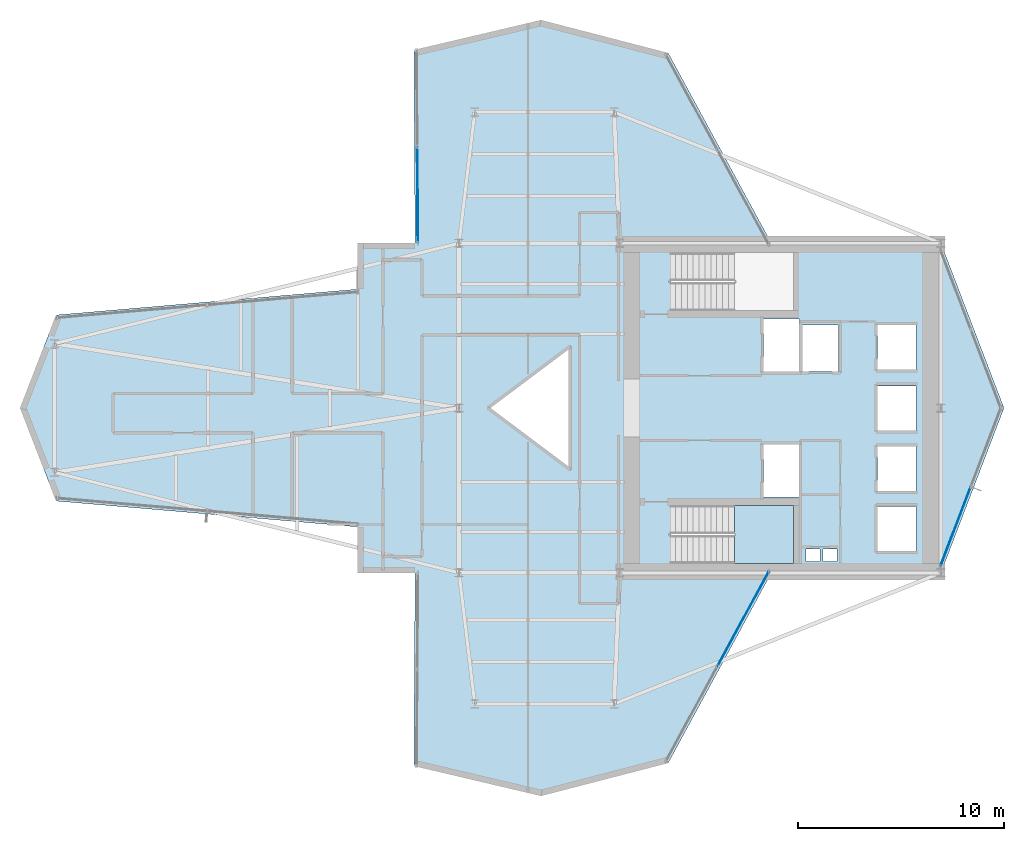
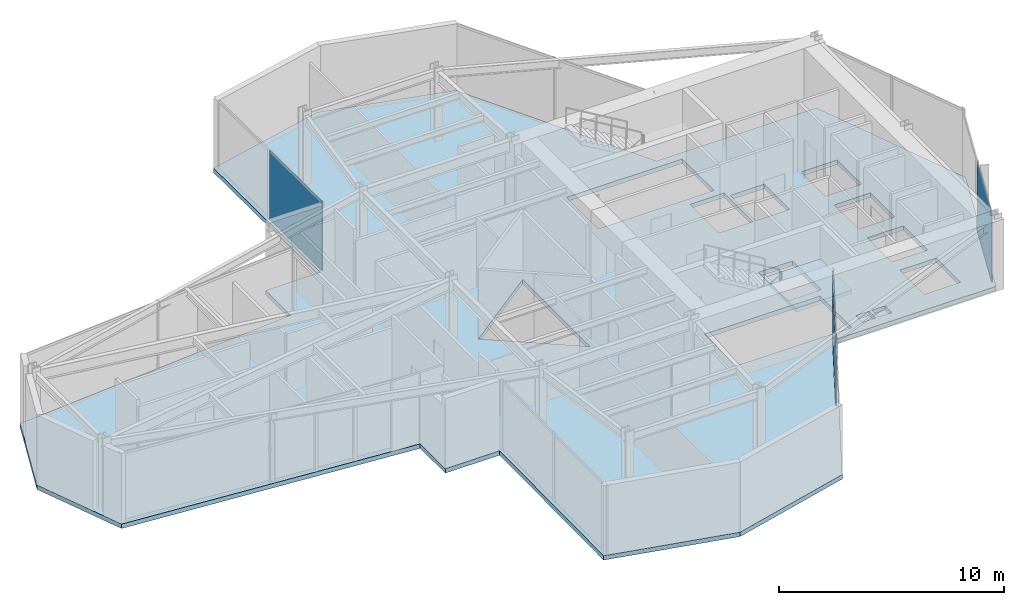
# One storey, part 21 of 26: 3 plates, 2 slabs, 4 elements without a shape of their own.
"""IFC4 building model written with IfcOpenShell, lengths in metres."""

from ifc_helpers import new_model, si_unit, direction, frame, origin, origin_2d, place, context, subcontext, project, spatial, polyline, rectangle, outline, extrude, material, layer, layer_set, type_object, element, aggregate, save


model = new_model("IFC4")

# Units and contexts
model_context = context("Model", 3, precision=1e-05, world=origin(), true_north=direction((0.0, 1.0)))
body_context = subcontext(model_context, "Body", "Model", "MODEL_VIEW")
ifc_project = project(units=[si_unit("LENGTHUNIT", "METRE"), si_unit("AREAUNIT", "SQUARE_METRE"), si_unit("VOLUMEUNIT", "CUBIC_METRE"), si_unit("PLANEANGLEUNIT", "RADIAN"), si_unit("MASSUNIT", "GRAM", prefix="KILO")], contexts=[model_context])

# Site, building, storey
site_placement = place(None, origin())
site = spatial("IfcSite", under=ifc_project, at=site_placement, CompositionType="ELEMENT")
building_placement = place(site_placement, origin())
building = spatial("IfcBuilding", under=site, at=building_placement, Name="Veymaron Broadcast Tower", CompositionType="ELEMENT")
storey_placement = place(building_placement, frame((0.0, 0.0, 153.300048828125)))
storey = spatial("IfcBuildingStorey", under=building, at=storey_placement, Name="L35", CompositionType="ELEMENT", Elevation=153.300048828125)

# Curtain wall, plate
ifc_material_1 = material(Name="Anodised aluminium AA 6063-T6 and laminated low-E dark glass", Category="aluminium")
ifc_layer_1 = layer(ifc_material_1, 0.179931640625)
ifc_layer_set_1 = layer_set([ifc_layer_1], Name="Anodised aluminium AA 6063-T6 and laminated low-E dark glass")
curtain_wall_type = type_object("IfcCurtainWallType", Name="CW-SYS-03", PredefinedType="NOTDEFINED", material=ifc_layer_set_1)
curtain_wall_1_placement = place(storey_placement, origin())
curtain_wall_1 = element("IfcCurtainWall", 1, at=curtain_wall_1_placement, inside=storey, type_object=curtain_wall_type, Name="L35 dark-glass curtain wall CW-L35-E2-1", PredefinedType="NOTDEFINED")
ifc_material_2 = material(Name="Insulated dark-anodised aluminium spandrel panel 40 mm", Category="aluminium")
ifc_layer_2 = layer(ifc_material_2, 0.0400390625)
ifc_layer_set_2 = layer_set([ifc_layer_2], Name="Insulated dark-anodised aluminium spandrel panel 40 mm")
plate_type = type_object("IfcPlateType", Name="CW-PNL-03", PredefinedType="CURTAIN_PANEL", material=ifc_layer_set_2)
plate_1_placement = place(storey_placement, frame((55.305908203125, 18.239013671875, 0.0400390625), z_axis=(0.0, 0.0, 1.0), x_axis=(0.35701516766, 0.934098586906, 0.0)))
plate_1 = element("IfcPlate", 2, at=plate_1_placement, type_object=plate_type, Name="CW-L35-E2-1 unitised curtain panel 0", PredefinedType="CURTAIN_PANEL", context=body_context, shape_type="SweptSolid", body=[
    extrude(rectangle(XDim=4.08740234375, YDim=0.0400390625, at=origin_2d()), origin(), (0.0, 0.0, 1.0), 3.72998046875),
])
aggregate(curtain_wall_1, [plate_1])

curtain_wall_2_placement = place(storey_placement, origin())
curtain_wall_2 = element("IfcCurtainWall", 3, at=curtain_wall_2_placement, inside=storey, type_object=curtain_wall_type, Name="L35 dark-glass curtain wall CW-L35-E8-1", PredefinedType="NOTDEFINED")
plate_2_placement = place(storey_placement, frame((29.18896484375, 34.34423828125, 0.0400390625), z_axis=(0.0, 0.0, 1.0), x_axis=(0.006824184408, -0.999976714982, 0.0)))
plate_2 = element("IfcPlate", 4, at=plate_2_placement, type_object=plate_type, Name="CW-L35-E8-1 unitised curtain panel 1", PredefinedType="CURTAIN_PANEL", context=body_context, shape_type="SweptSolid", body=[
    extrude(rectangle(XDim=4.62646484375, YDim=0.0400390625, at=origin_2d()), origin(), (0.0, 0.0, 1.0), 3.72998046875),
])
aggregate(curtain_wall_2, [plate_2])

curtain_wall_3_placement = place(storey_placement, origin())
curtain_wall_3 = element("IfcCurtainWall", 5, at=curtain_wall_3_placement, inside=storey, type_object=curtain_wall_type, Name="L35 dark-glass curtain wall CW-L35-E20-1", PredefinedType="NOTDEFINED")
plate_3_placement = place(storey_placement, frame((44.991455078125, 13.760009765625, 0.0400390625), z_axis=(0.0, 0.0, 1.0), x_axis=(0.476821283546, 0.879000263685, 0.0)))
plate_3 = element("IfcPlate", 6, at=plate_3_placement, type_object=plate_type, Name="CW-L35-E20-1 unitised curtain panel 1", PredefinedType="CURTAIN_PANEL", context=body_context, shape_type="SweptSolid", body=[
    extrude(rectangle(XDim=5.188720703125, YDim=0.0400390625, at=origin_2d()), origin(), (0.0, 0.0, 1.0), 3.72998046875),
])
aggregate(curtain_wall_3, [plate_3])

# Slab
ifc_material_3 = material(Name="Concrete C40/50", Category="concrete")
ifc_layer_3 = layer(ifc_material_3, 0.239990234375)
ifc_layer_set_3 = layer_set([ifc_layer_3], Name="Concrete C40/50")
slab_type_1 = type_object("IfcSlabType", Name="SLAB-FS6", PredefinedType="FLOOR", material=ifc_layer_set_3)
slab_1_placement = place(storey_placement, frame((0.0, 0.0, -0.239990234375)))
element("IfcSlab", 7, at=slab_1_placement, inside=storey, type_object=slab_type_1, Name="L35 structural floor slab", PredefinedType="FLOOR", context=body_context, shape_type="SweptSolid", body=[
    extrude(outline(polyline([(46.365966796875, 16.0), (54.60009765625, 16.0), (57.65771484375, 24.0), (54.60009765625, 32.0), (46.365966796875, 32.0), (41.360595703125, 41.227294921875), (35.180908203125, 42.828857421875), (29.0009765625, 41.372802734375), (29.06494140625, 32.0), (26.2705078125, 32.0), (26.2705078125, 29.770751953125), (11.639892578125, 28.51611328125), (9.892822265625, 24.0), (11.639892578125, 19.48388671875), (26.2705078125, 18.229248046875), (26.2705078125, 16.0), (29.06494140625, 16.0), (29.0009765625, 6.627197265625), (35.180908203125, 5.171142578125), (41.360595703125, 6.772705078125), (46.365966796875, 16.0)]), holes=[polyline([(45.969970703125, 28.330078125), (47.72998046875, 28.330078125), (47.72998046875, 25.77001953125), (45.969970703125, 25.77001953125), (45.969970703125, 28.330078125)]), polyline([(45.969970703125, 22.22998046875), (47.72998046875, 22.22998046875), (47.72998046875, 19.669921875), (45.969970703125, 19.669921875), (45.969970703125, 22.22998046875)]), polyline([(47.8701171875, 28.030029296875), (49.6298828125, 28.030029296875), (49.6298828125, 25.77001953125), (47.8701171875, 25.77001953125), (47.8701171875, 28.030029296875)]), polyline([(51.52001953125, 28.030029296875), (53.3798828125, 28.030029296875), (53.3798828125, 25.8701171875), (51.52001953125, 25.8701171875), (51.52001953125, 28.030029296875)]), polyline([(51.52001953125, 22.1298828125), (53.3798828125, 22.1298828125), (53.3798828125, 19.969970703125), (51.52001953125, 19.969970703125), (51.52001953125, 22.1298828125)]), polyline([(51.52001953125, 25.080078125), (53.3798828125, 25.080078125), (53.3798828125, 22.919921875), (51.52001953125, 22.919921875), (51.52001953125, 25.080078125)]), polyline([(51.52001953125, 19.22998046875), (53.3798828125, 19.22998046875), (53.3798828125, 17.070068359375), (51.52001953125, 17.070068359375), (51.52001953125, 19.22998046875)]), polyline([(48.050048828125, 17.159912109375), (48.719970703125, 17.159912109375), (48.719970703125, 16.56005859375), (48.050048828125, 16.56005859375), (48.050048828125, 17.159912109375)]), polyline([(48.8798828125, 17.159912109375), (49.550048828125, 17.159912109375), (49.550048828125, 16.56005859375), (48.8798828125, 16.56005859375), (48.8798828125, 17.159912109375)]), polyline([(36.60009765625, 27.0), (36.60009765625, 21.0), (32.60009765625, 24.0), (36.60009765625, 27.0)]), polyline([(41.489990234375, 31.550048828125), (47.43994140625, 31.550048828125), (47.43994140625, 28.72998046875), (41.489990234375, 28.72998046875), (41.489990234375, 31.550048828125)]), polyline([(41.489990234375, 19.27001953125), (47.43994140625, 19.27001953125), (47.43994140625, 16.449951171875), (41.489990234375, 16.449951171875), (41.489990234375, 19.27001953125)])]), origin(), (0.0, 0.0, 1.0), 0.239990234375),
])

# Stair, slab
ifc_material_4 = material(Name="Concrete C50/60", Category="concrete")
stair_type = type_object("IfcStairType", Name="STAIR-CORE-2", PredefinedType="HALF_TURN_STAIR", material=ifc_material_4)
stair_placement = place(storey_placement, origin())
stair = element("IfcStair", 8, at=stair_placement, inside=storey, type_object=stair_type, Name="L35 South protected dog-leg exit stair ST2", PredefinedType="HALF_TURN_STAIR")
ifc_layer_4 = layer(ifc_material_4, 0.199951171875)
ifc_layer_set_4 = layer_set([ifc_layer_4], Name="Concrete C50/60")
slab_type_2 = type_object("IfcSlabType", Name="SLAB-STAIR-LDG", PredefinedType="LANDING", material=ifc_layer_set_4)
slab_2_placement = place(storey_placement, frame((0.0, 0.0, 1.824951171875)))
slab_2 = element("IfcSlab", 9, at=slab_2_placement, type_object=slab_type_2, Name="ST2 landing 1", PredefinedType="LANDING", context=body_context, shape_type="SweptSolid", body=[
    extrude(outline(polyline([(44.56494140625, 16.449951171875), (47.43994140625, 16.449951171875), (47.43994140625, 19.27001953125), (44.56494140625, 19.27001953125), (44.56494140625, 16.449951171875)])), origin(), (0.0, 0.0, 1.0), 0.199951171875),
])
aggregate(stair, [slab_2])

save(model, "model.ifc")
